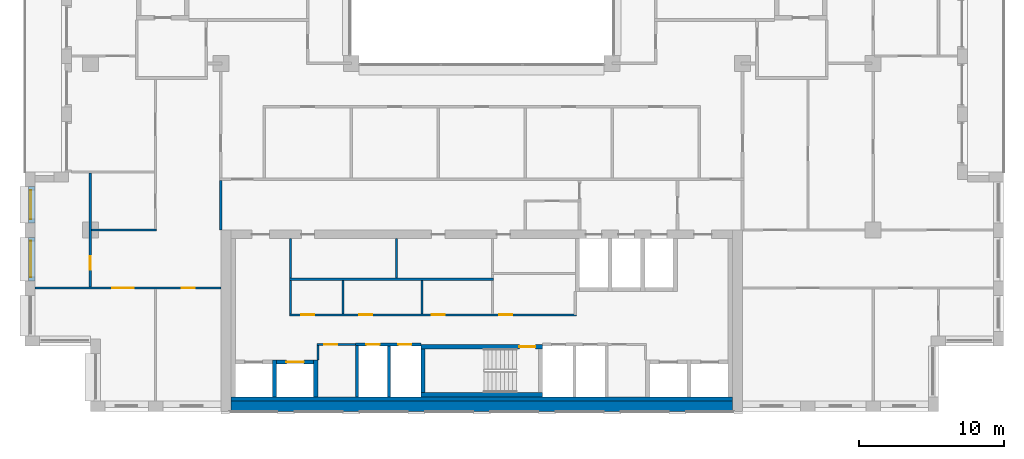
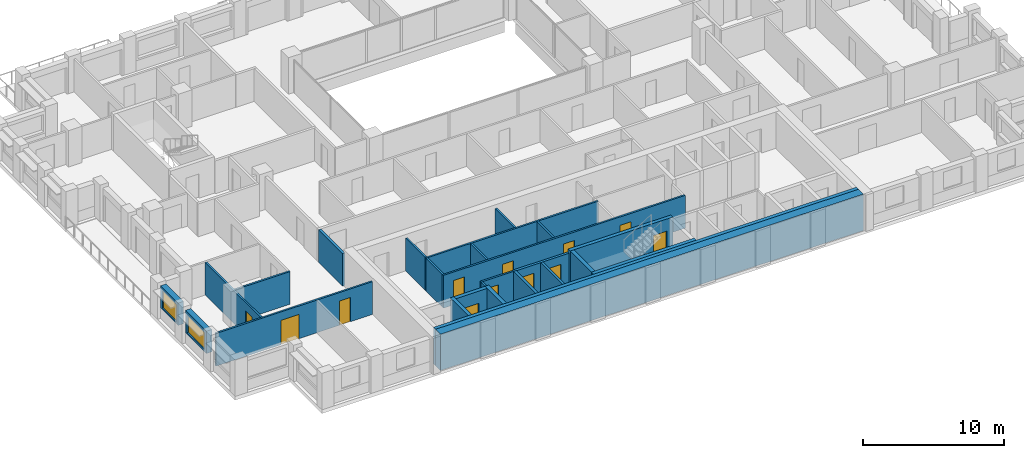
# One storey, part 8 of 16: 26 walls, 12 doors, 2 windows, 14 openings.
"""IFC4 building model written with IfcOpenShell, lengths in metres."""

from ifc_helpers import new_model, si_unit, direction, frame, frame_2d, origin, place, context, subcontext, project, spatial, rectangle, extrude, material, layer, layer_set, type_object, element, fill, save


model = new_model("IFC4")

# Units and contexts
model_context = context("Model", 3, precision=1e-05, world=origin(), true_north=direction((0.0, 1.0)))
body_context = subcontext(model_context, "Body", "Model", "MODEL_VIEW")
ifc_project = project(units=[si_unit("LENGTHUNIT", "METRE"), si_unit("AREAUNIT", "SQUARE_METRE"), si_unit("VOLUMEUNIT", "CUBIC_METRE"), si_unit("PLANEANGLEUNIT", "RADIAN"), si_unit("MASSUNIT", "GRAM", prefix="KILO")], contexts=[model_context])

# Site, building, storey
site_placement = place(None, origin())
site = spatial("IfcSite", under=ifc_project, at=site_placement, CompositionType="ELEMENT")
building_placement = place(site_placement, origin())
building = spatial("IfcBuilding", under=site, at=building_placement, Name="Brigalow Station Residences", CompositionType="ELEMENT")
storey_placement = place(building_placement, frame((0.0, 0.0, 160.199951171875)))
storey = spatial("IfcBuildingStorey", under=building, at=storey_placement, Name="L46", CompositionType="ELEMENT", Elevation=160.199951171875)

# Wall, opening, window
ifc_material_1 = material(Name="Clay brick masonry", Category="masonry")
ifc_layer_1 = layer(ifc_material_1, 0.449951171875)
ifc_layer_set_1 = layer_set([ifc_layer_1], Name="BRICK INFILL WALL 450")
wall_type_1 = type_object("IfcWallType", Name="BRICK INFILL WALL 450", PredefinedType="SOLIDWALL", material=ifc_layer_set_1)
wall_1_placement = place(storey_placement, frame((4.97509765625, 15.5, 0.900146484375), z_axis=(0.0, 0.0, 1.0), x_axis=(0.0, -1.0, 0.0)))
wall_1 = element("IfcWall", 1, at=wall_1_placement, inside=storey, type_object=wall_type_1, Name="L46/ewall/W-L46-45", PredefinedType="SOLIDWALL", context=body_context, shape_type="SweptSolid", body=[
    extrude(rectangle(XDim=2.5, YDim=0.449951171875, at=frame_2d((1.25, 0.0))), origin(), (0.0, 0.0, 1.0), 1.929931640625),
])
opening_1_placement = place(wall_1_placement, frame((0.25, 0.0, 0.14990234375)))
opening_1 = element("IfcOpeningElement", 2, at=opening_1_placement, cuts=wall_1, Name="Opening WT-7", PredefinedType="OPENING", context=body_context, shape_type="SweptSolid", body=[
    extrude(rectangle(XDim=2.0, YDim=1.5, at=frame_2d((1.0, 0.75))), frame((0.0, 0.23486328125, 0.0), z_axis=(0.0, -1.0, 0.0), x_axis=(1.0, 0.0, 0.0)), (0.0, 0.0, 1.0), 0.469970703125),
])
ifc_material_2 = material(Name="Anodised aluminium frame with double glazing", Category="aluminium")
window_type_1 = type_object("IfcWindowType", Name="WINDOW 2000x1500", PartitioningType="SINGLE_PANEL", PredefinedType="WINDOW", material=ifc_material_2)
window_1_placement = place(opening_1_placement, origin())
window_1 = element("IfcWindow", 3, at=window_1_placement, inside=storey, type_object=window_type_1, Name="L46/window/W-L46-45", OverallHeight=1.5, OverallWidth=2.0, PartitioningType="SINGLE_PANEL", PredefinedType="WINDOW", context=body_context, shape_type="SweptSolid", body=[
    extrude(rectangle(XDim=2.0, YDim=1.5, at=frame_2d((1.0, 0.75))), frame((0.0, -0.06494140625, 0.0), z_axis=(0.0, -1.0, 0.0), x_axis=(1.0, 0.0, 0.0)), (0.0, 0.0, 1.0), 0.06005859375),
])
fill(opening_1, window_1)

wall_2_placement = place(storey_placement, frame((4.97509765625, 12.0, 0.900146484375), z_axis=(0.0, 0.0, 1.0), x_axis=(0.0, -1.0, 0.0)))
wall_2 = element("IfcWall", 4, at=wall_2_placement, inside=storey, type_object=wall_type_1, Name="L46/ewall/W-L46-46", PredefinedType="SOLIDWALL", context=body_context, shape_type="SweptSolid", body=[
    extrude(rectangle(XDim=3.0, YDim=0.449951171875, at=frame_2d((1.5, 0.0))), origin(), (0.0, 0.0, 1.0), 1.929931640625),
])
opening_2_placement = place(wall_2_placement, frame((0.25, 0.0, 0.14990234375)))
opening_2 = element("IfcOpeningElement", 5, at=opening_2_placement, cuts=wall_2, Name="Opening WT-5", PredefinedType="OPENING", context=body_context, shape_type="SweptSolid", body=[
    extrude(rectangle(XDim=2.5, YDim=1.5, at=frame_2d((1.25, 0.75))), frame((0.0, 0.23486328125, 0.0), z_axis=(0.0, -1.0, 0.0), x_axis=(1.0, 0.0, 0.0)), (0.0, 0.0, 1.0), 0.469970703125),
])
ifc_material_3 = material(Name="Anodised aluminium frame with double glazing", Category="aluminium")
window_type_2 = type_object("IfcWindowType", Name="WINDOW 2500x1500", PartitioningType="SINGLE_PANEL", PredefinedType="WINDOW", material=ifc_material_3)
window_2_placement = place(opening_2_placement, origin())
window_2 = element("IfcWindow", 6, at=window_2_placement, inside=storey, type_object=window_type_2, Name="L46/window/W-L46-46", OverallHeight=1.5, OverallWidth=2.5, PartitioningType="SINGLE_PANEL", PredefinedType="WINDOW", context=body_context, shape_type="SweptSolid", body=[
    extrude(rectangle(XDim=2.5, YDim=1.5, at=frame_2d((1.25, 0.75))), frame((0.0, -0.06494140625, 0.0), z_axis=(0.0, -1.0, 0.0), x_axis=(1.0, 0.0, 0.0)), (0.0, 0.0, 1.0), 0.06005859375),
])
fill(opening_2, window_2)

# Wall
ifc_material_4 = material(Name="Concrete C65", Category="concrete")
ifc_layer_2 = layer(ifc_material_4, 0.300048828125)
ifc_layer_set_2 = layer_set([ifc_layer_2], Name="CORE SHEAR WALL 300 C65")
wall_type_2 = type_object("IfcWallType", Name="CORE SHEAR WALL 300 C65", PredefinedType="SHEAR", material=ifc_layer_set_2)
wall_3_placement = place(storey_placement, frame((18.699951171875, 0.85009765625, 0.0), z_axis=(0.0, 0.0, 1.0), x_axis=(1.0, 0.0, 0.0)))
element("IfcWall", 7, at=wall_3_placement, inside=storey, type_object=wall_type_2, Name="CORE WALL LIN-S L46", PredefinedType="SHEAR", context=body_context, shape_type="SweptSolid", body=[
    extrude(rectangle(XDim=34.60009765625, YDim=0.300048828125, at=frame_2d((17.300048828125, 0.0))), origin(), (0.0, 0.0, 1.0), 3.150146484375),
])

# Wall, opening, door
wall_4_placement = place(storey_placement, frame((21.85009765625, 3.39990234375, 0.0), z_axis=(0.0, 0.0, 1.0), x_axis=(1.0, 0.0, 0.0)))
wall_4 = element("IfcWall", 8, at=wall_4_placement, inside=storey, type_object=wall_type_2, Name="CORE WALL SH-C2-N L46", PredefinedType="SHEAR", context=body_context, shape_type="SweptSolid", body=[
    extrude(rectangle(XDim=2.5498046875, YDim=0.300048828125, at=frame_2d((1.27490234375, 0.0))), origin(), (0.0, 0.0, 1.0), 3.150146484375),
])
opening_3_placement = place(wall_4_placement, frame((0.675048828125, 0.0, 0.0)))
opening_3 = element("IfcOpeningElement", 9, at=opening_3_placement, cuts=wall_4, Name="Opening LD-LB2", PredefinedType="OPENING", context=body_context, shape_type="SweptSolid", body=[
    extrude(rectangle(XDim=1.199951171875, YDim=2.10009765625, at=frame_2d((0.60009765625, 1.050048828125))), frame((0.0, 0.16015625, 0.0), z_axis=(0.0, -1.0, 0.0), x_axis=(1.0, 0.0, 0.0)), (0.0, 0.0, 1.0), 0.320068359375),
])
ifc_material_5 = material(Name="Stainless steel sliding door leaves", Category="steel")
door_type_1 = type_object("IfcDoorType", Name="LIFT LANDING DOOR 1200 x 2100", OperationType="DOUBLE_DOOR_SLIDING", PredefinedType="DOOR", material=ifc_material_5)
door_1_placement = place(opening_3_placement, origin())
door_1 = element("IfcDoor", 10, at=door_1_placement, inside=storey, type_object=door_type_1, Name="LANDING DOOR LB2", OperationType="DOUBLE_DOOR_SLIDING", OverallHeight=2.10009765625, OverallWidth=1.199951171875, PredefinedType="DOOR", context=body_context, shape_type="SweptSolid", body=[
    extrude(rectangle(XDim=1.199951171875, YDim=2.10009765625, at=frame_2d((0.60009765625, 1.050048828125))), frame((0.0, 0.02490234375, 0.0), z_axis=(0.0, -1.0, 0.0), x_axis=(1.0, 0.0, 0.0)), (0.0, 0.0, 1.0), 0.050048828125),
])
fill(opening_3, door_1)

# Walls
for number, where, z_axis, x_axis, name in (
    (11, (21.699951171875, 1.0, 0.0), (0.0, 0.0, 1.0), (0.0, 1.0, 0.0), "CORE WALL SH-C2-W L46"),
    (12, (24.550048828125, 1.0, 0.0), (0.0, 0.0, 1.0), (0.0, 1.0, 0.0), "CORE WALL SH-C2-E L46"),
):
    element("IfcWall", number, at=place(storey_placement, frame(where, z_axis=z_axis, x_axis=x_axis)), inside=storey, type_object=wall_type_2, Name=name, PredefinedType="SHEAR", context=body_context, shape_type="SweptSolid", body=[
        extrude(rectangle(XDim=2.550048828125, YDim=0.300048828125, at=frame_2d((1.27490234375, 0.0))), origin(), (0.0, 0.0, 1.0), 3.150146484375),
    ])
wall_5_placement = place(storey_placement, frame((31.800048828125, 1.14990234375, 0.0), z_axis=(0.0, 0.0, 1.0), x_axis=(1.0, 0.0, 0.0)))
element("IfcWall", 13, at=wall_5_placement, inside=storey, type_object=wall_type_2, Name="CORE WALL ST-S2-S L46", PredefinedType="SHEAR", context=body_context, shape_type="SweptSolid", body=[
    extrude(rectangle(XDim=8.39990234375, YDim=0.300048828125, at=frame_2d((4.199951171875, 0.0))), origin(), (0.0, 0.0, 1.0), 3.150146484375),
])

# Wall, opening, door
wall_6_placement = place(storey_placement, frame((31.800048828125, 4.449951171875, 0.0), z_axis=(0.0, 0.0, 1.0), x_axis=(1.0, 0.0, 0.0)))
wall_6 = element("IfcWall", 14, at=wall_6_placement, inside=storey, type_object=wall_type_2, Name="CORE WALL ST-S2-N L46", PredefinedType="SHEAR", context=body_context, shape_type="SweptSolid", body=[
    extrude(rectangle(XDim=8.39990234375, YDim=0.300048828125, at=frame_2d((4.199951171875, 0.0))), origin(), (0.0, 0.0, 1.0), 3.150146484375),
])
opening_4_placement = place(wall_6_placement, frame((6.800048828125, 0.0, 0.0)))
opening_4 = element("IfcOpeningElement", 15, at=opening_4_placement, cuts=wall_6, Name="Opening D-5001", PredefinedType="OPENING", context=body_context, shape_type="SweptSolid", body=[
    extrude(rectangle(XDim=1.10009765625, YDim=2.10009765625, at=frame_2d((0.550048828125, 1.050048828125))), frame((0.0, 0.16015625, 0.0), z_axis=(0.0, -1.0, 0.0), x_axis=(1.0, 0.0, 0.0)), (0.0, 0.0, 1.0), 0.320068359375),
])
ifc_material_6 = material(Name="Steel fire door leaf in steel frame", Category="steel")
door_type_2 = type_object("IfcDoorType", Name="STAIR DOOR 1100 x 2100 FD60S", OperationType="SINGLE_SWING_LEFT", PredefinedType="DOOR", material=ifc_material_6)
door_2_placement = place(opening_4_placement, frame((1.10009765625, 0.0, 0.0), z_axis=(0.0, 0.0, 1.0), x_axis=(-1.0, 0.0, 0.0)))
door_2 = element("IfcDoor", 16, at=door_2_placement, inside=storey, type_object=door_type_2, Name="D-5001", OperationType="SINGLE_SWING_LEFT", OverallHeight=2.10009765625, OverallWidth=1.10009765625, PredefinedType="DOOR", context=body_context, shape_type="SweptSolid", body=[
    extrude(rectangle(XDim=1.10009765625, YDim=2.10009765625, at=frame_2d((0.550048828125, 1.050048828125))), frame((0.0, 0.02490234375, 0.0), z_axis=(0.0, -1.0, 0.0), x_axis=(1.0, 0.0, 0.0)), (0.0, 0.0, 1.0), 0.050048828125),
])
fill(opening_4, door_2)

# Walls
wall_7_placement = place(storey_placement, frame((31.949951171875, 1.300048828125, 0.0), z_axis=(0.0, 0.0, 1.0), x_axis=(0.0, 1.0, 0.0)))
element("IfcWall", 17, at=wall_7_placement, inside=storey, type_object=wall_type_2, Name="CORE WALL ST-S2-W L46", PredefinedType="SHEAR", context=body_context, shape_type="SweptSolid", body=[
    extrude(rectangle(XDim=3.0, YDim=0.300048828125, at=frame_2d((1.5, 0.0))), origin(), (0.0, 0.0, 1.0), 3.150146484375),
])
ifc_material_7 = material(Name="Concrete C65", Category="concrete")
ifc_layer_3 = layer(ifc_material_7, 0.699951171875)
ifc_layer_set_3 = layer_set([ifc_layer_3], Name="CORE SHEAR WALL 700 C65")
wall_type_3 = type_object("IfcWallType", Name="CORE SHEAR WALL 700 C65", PredefinedType="SHEAR", material=ifc_layer_set_3)
wall_8_placement = place(storey_placement, frame((18.699951171875, 0.35009765625, 0.0), z_axis=(0.0, 0.0, 1.0), x_axis=(1.0, 0.0, 0.0)))
element("IfcWall", 18, at=wall_8_placement, inside=storey, type_object=wall_type_3, Name="CORE WALL OUT-S L46", PredefinedType="SHEAR", context=body_context, shape_type="SweptSolid", body=[
    extrude(rectangle(XDim=34.60009765625, YDim=0.699951171875, at=frame_2d((17.300048828125, 0.0))), origin(), (0.0, 0.0, 1.0), 3.150146484375),
])

# Wall, openings, doors
ifc_material_8 = material(Name="Concrete blockwork", Category="masonry")
ifc_layer_4 = layer(ifc_material_8, 0.199951171875)
ifc_layer_set_4 = layer_set([ifc_layer_4], Name="FIRE RATED CORE PARTITION 200")
wall_type_4 = type_object("IfcWallType", Name="FIRE RATED CORE PARTITION 200", PredefinedType="PARTITIONING", material=ifc_layer_set_4)
wall_9_placement = place(storey_placement, frame((27.300048828125, 4.60009765625, 0.0), z_axis=(0.0, 0.0, 1.0), x_axis=(1.0, 0.0, 0.0)))
wall_9 = element("IfcWall", 19, at=wall_9_placement, inside=storey, type_object=wall_type_4, Name="PW-5017", PredefinedType="PARTITIONING", context=body_context, shape_type="SweptSolid", body=[
    extrude(rectangle(XDim=4.5, YDim=0.199951171875, at=frame_2d((2.25, 0.0))), origin(), (0.0, 0.0, 1.0), 2.830078125),
])
opening_5_placement = place(wall_9_placement, frame((0.75, 0.0, 0.0)))
opening_5 = element("IfcOpeningElement", 20, at=opening_5_placement, cuts=wall_9, Name="Opening D-5007", PredefinedType="OPENING", context=body_context, shape_type="SweptSolid", body=[
    extrude(rectangle(XDim=0.89990234375, YDim=2.10009765625, at=frame_2d((0.449951171875, 1.050048828125))), frame((0.0, 0.10986328125, 0.0), z_axis=(0.0, -1.0, 0.0), x_axis=(1.0, 0.0, 0.0)), (0.0, 0.0, 1.0), 0.219970703125),
])
opening_6_placement = place(wall_9_placement, frame((2.949951171875, 0.0, 0.0)))
opening_6 = element("IfcOpeningElement", 21, at=opening_6_placement, cuts=wall_9, Name="Opening D-5008", PredefinedType="OPENING", context=body_context, shape_type="SweptSolid", body=[
    extrude(rectangle(XDim=0.89990234375, YDim=2.10009765625, at=frame_2d((0.449951171875, 1.050048828125))), frame((0.0, 0.10986328125, 0.0), z_axis=(0.0, -1.0, 0.0), x_axis=(1.0, 0.0, 0.0)), (0.0, 0.0, 1.0), 0.219970703125),
])
ifc_material_9 = material(Name="Steel fire door leaf in steel frame", Category="steel")
door_type_3 = type_object("IfcDoorType", Name="RISER ACCESS DOOR 900 x 2100 FD120", OperationType="SINGLE_SWING_LEFT", PredefinedType="DOOR", material=ifc_material_9)
door_3_placement = place(opening_5_placement, frame((0.89990234375, 0.0, 0.0), z_axis=(0.0, 0.0, 1.0), x_axis=(-1.0, 0.0, 0.0)))
door_3 = element("IfcDoor", 22, at=door_3_placement, inside=storey, type_object=door_type_3, Name="D-5007", OperationType="SINGLE_SWING_RIGHT", OverallHeight=2.10009765625, OverallWidth=0.89990234375, PredefinedType="DOOR", context=body_context, shape_type="SweptSolid", body=[
    extrude(rectangle(XDim=0.89990234375, YDim=2.10009765625, at=frame_2d((0.449951171875, 1.050048828125))), frame((0.0, 0.02490234375, 0.0), z_axis=(0.0, -1.0, 0.0), x_axis=(1.0, 0.0, 0.0)), (0.0, 0.0, 1.0), 0.050048828125),
])
fill(opening_5, door_3)
door_4_placement = place(opening_6_placement, frame((0.89990234375, 0.0, 0.0), z_axis=(0.0, 0.0, 1.0), x_axis=(-1.0, 0.0, 0.0)))
door_4 = element("IfcDoor", 23, at=door_4_placement, inside=storey, type_object=door_type_3, Name="D-5008", OperationType="SINGLE_SWING_RIGHT", OverallHeight=2.10009765625, OverallWidth=0.89990234375, PredefinedType="DOOR", context=body_context, shape_type="SweptSolid", body=[
    extrude(rectangle(XDim=0.89990234375, YDim=2.10009765625, at=frame_2d((0.449951171875, 1.050048828125))), frame((0.0, 0.02490234375, 0.0), z_axis=(0.0, -1.0, 0.0), x_axis=(1.0, 0.0, 0.0)), (0.0, 0.0, 1.0), 0.050048828125),
])
fill(opening_6, door_4)

# Walls
wall_10_placement = place(storey_placement, frame((27.39990234375, 1.0, 0.0), z_axis=(0.0, 0.0, 1.0), x_axis=(0.0, 1.0, 0.0)))
element("IfcWall", 24, at=wall_10_placement, inside=storey, type_object=wall_type_4, Name="PW-5027", PredefinedType="PARTITIONING", context=body_context, shape_type="SweptSolid", body=[
    extrude(rectangle(XDim=3.52490234375, YDim=0.199951171875, at=frame_2d((1.762451171875, 0.0))), origin(), (0.0, 0.0, 1.0), 2.830078125),
])
wall_11_placement = place(storey_placement, frame((29.60009765625, 1.0, 0.0), z_axis=(0.0, 0.0, 1.0), x_axis=(0.0, 1.0, 0.0)))
element("IfcWall", 25, at=wall_11_placement, inside=storey, type_object=wall_type_4, Name="PW-5006", PredefinedType="PARTITIONING", context=body_context, shape_type="SweptSolid", body=[
    extrude(rectangle(XDim=3.5, YDim=0.199951171875, at=frame_2d((1.75, 0.0))), origin(), (0.0, 0.0, 1.0), 2.830078125),
])
wall_12_placement = place(storey_placement, frame((18.0, 12.5, 0.0), z_axis=(0.0, 0.0, 1.0), x_axis=(0.0, 1.0, 0.0)))
element("IfcWall", 26, at=wall_12_placement, inside=storey, type_object=wall_type_4, Name="PW-5013", PredefinedType="PARTITIONING", context=body_context, shape_type="SweptSolid", body=[
    extrude(rectangle(XDim=3.39990234375, YDim=0.199951171875, at=frame_2d((1.699951171875, 0.0))), origin(), (0.0, 0.0, 1.0), 2.830078125),
])

# Wall, openings, doors
ifc_material_10 = material(Name="Plasterboard on steel stud partition", Category="steel")
ifc_layer_5 = layer(ifc_material_10, 0.14990234375)
ifc_layer_set_5 = layer_set([ifc_layer_5], Name="FLAT PARTITION 150")
wall_type_5 = type_object("IfcWallType", Name="FLAT PARTITION 150", PredefinedType="PARTITIONING", material=ifc_layer_set_5)
wall_13_placement = place(storey_placement, frame((5.199951171875, 8.5, 0.0), z_axis=(0.0, 0.0, 1.0), x_axis=(1.0, 0.0, 0.0)))
wall_13 = element("IfcWall", 27, at=wall_13_placement, inside=storey, type_object=wall_type_5, Name="PW-3C09", PredefinedType="PARTITIONING", context=body_context, shape_type="SweptSolid", body=[
    extrude(rectangle(XDim=12.800048828125, YDim=0.14990234375, at=frame_2d((6.39990234375, 0.0))), origin(), (0.0, 0.0, 1.0), 2.830078125),
])
opening_7_placement = place(wall_13_placement, frame((10.10009765625, 0.0, 0.0)))
opening_7 = element("IfcOpeningElement", 28, at=opening_7_placement, cuts=wall_13, Name="Opening D-3C04", PredefinedType="OPENING", context=body_context, shape_type="SweptSolid", body=[
    extrude(rectangle(XDim=0.89990234375, YDim=2.10009765625, at=frame_2d((0.449951171875, 1.050048828125))), frame((0.0, 0.0849609375, 0.0), z_axis=(0.0, -1.0, 0.0), x_axis=(1.0, 0.0, 0.0)), (0.0, 0.0, 1.0), 0.169921875),
])
opening_8_placement = place(wall_13_placement, frame((5.300048828125, 0.0, 0.0)))
opening_8 = element("IfcOpeningElement", 29, at=opening_8_placement, cuts=wall_13, Name="Opening D-3C07", PredefinedType="OPENING", context=body_context, shape_type="SweptSolid", body=[
    extrude(rectangle(XDim=1.5, YDim=2.10009765625, at=frame_2d((0.75, 1.050048828125))), frame((0.0, 0.0849609375, 0.0), z_axis=(0.0, -1.0, 0.0), x_axis=(1.0, 0.0, 0.0)), (0.0, 0.0, 1.0), 0.169921875),
])
ifc_material_11 = material(Name="Solid-core timber door leaf", Category="wood")
door_type_4 = type_object("IfcDoorType", Name="INTERNAL DOOR 900 x 2100", OperationType="SINGLE_SWING_LEFT", PredefinedType="DOOR", material=ifc_material_11)
door_5_placement = place(opening_7_placement, frame((0.89990234375, 0.0, 0.0), z_axis=(0.0, 0.0, 1.0), x_axis=(-1.0, 0.0, 0.0)))
door_5 = element("IfcDoor", 30, at=door_5_placement, inside=storey, type_object=door_type_4, Name="D-3C04", OperationType="SINGLE_SWING_RIGHT", OverallHeight=2.10009765625, OverallWidth=0.89990234375, PredefinedType="DOOR", context=body_context, shape_type="SweptSolid", body=[
    extrude(rectangle(XDim=0.89990234375, YDim=2.10009765625, at=frame_2d((0.449951171875, 1.050048828125))), frame((0.0, 0.02490234375, 0.0), z_axis=(0.0, -1.0, 0.0), x_axis=(1.0, 0.0, 0.0)), (0.0, 0.0, 1.0), 0.050048828125),
])
fill(opening_7, door_5)
ifc_material_12 = material(Name="Solid-core timber door leaf", Category="wood")
door_type_5 = type_object("IfcDoorType", Name="INTERNAL DOUBLE DOOR 1500 x 2100", OperationType="DOUBLE_DOOR_SINGLE_SWING", PredefinedType="DOOR", material=ifc_material_12)
door_6_placement = place(opening_8_placement, frame((1.5, 0.0, 0.0), z_axis=(0.0, 0.0, 1.0), x_axis=(-1.0, 0.0, 0.0)))
door_6 = element("IfcDoor", 31, at=door_6_placement, inside=storey, type_object=door_type_5, Name="D-3C07", OperationType="DOUBLE_DOOR_SINGLE_SWING", OverallHeight=2.10009765625, OverallWidth=1.5, PredefinedType="DOOR", context=body_context, shape_type="SweptSolid", body=[
    extrude(rectangle(XDim=1.5, YDim=2.10009765625, at=frame_2d((0.75, 1.050048828125))), frame((0.0, 0.02490234375, 0.0), z_axis=(0.0, -1.0, 0.0), x_axis=(1.0, 0.0, 0.0)), (0.0, 0.0, 1.0), 0.050048828125),
])
fill(opening_8, door_6)

# Wall
wall_14_placement = place(storey_placement, frame((9.074951171875, 12.5, 0.0), z_axis=(0.0, 0.0, 1.0), x_axis=(1.0, 0.0, 0.0)))
element("IfcWall", 32, at=wall_14_placement, inside=storey, type_object=wall_type_5, Name="PW-3C12", PredefinedType="PARTITIONING", context=body_context, shape_type="SweptSolid", body=[
    extrude(rectangle(XDim=4.5, YDim=0.14990234375, at=frame_2d((2.25, 0.0))), origin(), (0.0, 0.0, 1.0), 2.830078125),
])

# Wall, opening, door
wall_15_placement = place(storey_placement, frame((9.0, 8.574951171875, 0.0), z_axis=(0.0, 0.0, 1.0), x_axis=(0.0, 1.0, 0.0)))
wall_15 = element("IfcWall", 33, at=wall_15_placement, inside=storey, type_object=wall_type_5, Name="PW-3C39", PredefinedType="PARTITIONING", context=body_context, shape_type="SweptSolid", body=[
    extrude(rectangle(XDim=7.85009765625, YDim=0.14990234375, at=frame_2d((3.925048828125, 0.0))), origin(), (0.0, 0.0, 1.0), 2.830078125),
])
opening_9_placement = place(wall_15_placement, frame((1.199951171875, 0.0, 0.0)))
opening_9 = element("IfcOpeningElement", 34, at=opening_9_placement, cuts=wall_15, Name="Opening D-3C05", PredefinedType="OPENING", context=body_context, shape_type="SweptSolid", body=[
    extrude(rectangle(XDim=0.89990234375, YDim=2.10009765625, at=frame_2d((0.449951171875, 1.050048828125))), frame((0.0, 0.0849609375, 0.0), z_axis=(0.0, -1.0, 0.0), x_axis=(1.0, 0.0, 0.0)), (0.0, 0.0, 1.0), 0.169921875),
])
door_7_placement = place(opening_9_placement, origin())
door_7 = element("IfcDoor", 35, at=door_7_placement, inside=storey, type_object=door_type_4, Name="D-3C05", OperationType="SINGLE_SWING_LEFT", OverallHeight=2.10009765625, OverallWidth=0.89990234375, PredefinedType="DOOR", context=body_context, shape_type="SweptSolid", body=[
    extrude(rectangle(XDim=0.89990234375, YDim=2.10009765625, at=frame_2d((0.449951171875, 1.050048828125))), frame((0.0, 0.02490234375, 0.0), z_axis=(0.0, -1.0, 0.0), x_axis=(1.0, 0.0, 0.0)), (0.0, 0.0, 1.0), 0.050048828125),
])
fill(opening_9, door_7)

ifc_material_13 = material(Name="Plasterboard on steel studs", Category="steel")
ifc_layer_6 = layer(ifc_material_13, 0.14990234375)
ifc_layer_set_6 = layer_set([ifc_layer_6], Name="SERVICE ROOM PARTITION 150")
wall_type_6 = type_object("IfcWallType", Name="SERVICE ROOM PARTITION 150", PredefinedType="PARTITIONING", material=ifc_layer_set_6)
wall_16_placement = place(storey_placement, frame((24.625, 4.60009765625, 0.0), z_axis=(0.0, 0.0, 1.0), x_axis=(1.0, 0.0, 0.0)))
wall_16 = element("IfcWall", 36, at=wall_16_placement, inside=storey, type_object=wall_type_6, Name="PW-5155", PredefinedType="PARTITIONING", context=body_context, shape_type="SweptSolid", body=[
    extrude(rectangle(XDim=2.675048828125, YDim=0.14990234375, at=frame_2d((1.33740234375, 0.0))), origin(), (0.0, 0.0, 1.0), 2.830078125),
])
opening_10_placement = place(wall_16_placement, frame((0.52490234375, 0.0, 0.0)))
opening_10 = element("IfcOpeningElement", 37, at=opening_10_placement, cuts=wall_16, Name="Opening D-5087", PredefinedType="OPENING", context=body_context, shape_type="SweptSolid", body=[
    extrude(rectangle(XDim=0.89990234375, YDim=2.10009765625, at=frame_2d((0.449951171875, 1.050048828125))), frame((0.0, 0.0849609375, 0.0), z_axis=(0.0, -1.0, 0.0), x_axis=(1.0, 0.0, 0.0)), (0.0, 0.0, 1.0), 0.169921875),
])
ifc_material_14 = material(Name="Steel door leaf in steel frame", Category="steel")
door_type_6 = type_object("IfcDoorType", Name="SERVICE ROOM DOOR 900 x 2100 FD60", OperationType="SINGLE_SWING_LEFT", PredefinedType="DOOR", material=ifc_material_14)
door_8_placement = place(opening_10_placement, frame((0.89990234375, 0.0, 0.0), z_axis=(0.0, 0.0, 1.0), x_axis=(-1.0, 0.0, 0.0)))
door_8 = element("IfcDoor", 38, at=door_8_placement, inside=storey, type_object=door_type_6, Name="D-5087", OperationType="SINGLE_SWING_RIGHT", OverallHeight=2.10009765625, OverallWidth=0.89990234375, PredefinedType="DOOR", context=body_context, shape_type="SweptSolid", body=[
    extrude(rectangle(XDim=0.89990234375, YDim=2.10009765625, at=frame_2d((0.449951171875, 1.050048828125))), frame((0.0, 0.02490234375, 0.0), z_axis=(0.0, -1.0, 0.0), x_axis=(1.0, 0.0, 0.0)), (0.0, 0.0, 1.0), 0.050048828125),
])
fill(opening_10, door_8)

# Wall, openings, doors
wall_17_placement = place(storey_placement, frame((22.72509765625, 6.64990234375, 0.0), z_axis=(0.0, 0.0, 1.0), x_axis=(1.0, 0.0, 0.0)))
wall_17 = element("IfcWall", 39, at=wall_17_placement, inside=storey, type_object=wall_type_6, Name="PW-5195", PredefinedType="PARTITIONING", context=body_context, shape_type="SweptSolid", body=[
    extrude(rectangle(XDim=19.7998046875, YDim=0.14990234375, at=frame_2d((9.89990234375, 0.0))), origin(), (0.0, 0.0, 1.0), 2.830078125),
])
opening_11_placement = place(wall_17_placement, frame((0.824951171875, 0.0, 0.0)))
opening_11 = element("IfcOpeningElement", 40, at=opening_11_placement, cuts=wall_17, Name="Opening D-5110", PredefinedType="OPENING", context=body_context, shape_type="SweptSolid", body=[
    extrude(rectangle(XDim=0.89990234375, YDim=2.10009765625, at=frame_2d((0.449951171875, 1.050048828125))), frame((0.0, 0.0849609375, 0.0), z_axis=(0.0, -1.0, 0.0), x_axis=(1.0, 0.0, 0.0)), (0.0, 0.0, 1.0), 0.169921875),
])
opening_12_placement = place(wall_17_placement, frame((4.824951171875, 0.0, 0.0)))
opening_12 = element("IfcOpeningElement", 41, at=opening_12_placement, cuts=wall_17, Name="Opening D-5116", PredefinedType="OPENING", context=body_context, shape_type="SweptSolid", body=[
    extrude(rectangle(XDim=0.89990234375, YDim=2.10009765625, at=frame_2d((0.449951171875, 1.050048828125))), frame((0.0, 0.0849609375, 0.0), z_axis=(0.0, -1.0, 0.0), x_axis=(1.0, 0.0, 0.0)), (0.0, 0.0, 1.0), 0.169921875),
])
opening_13_placement = place(wall_17_placement, frame((9.824951171875, 0.0, 0.0)))
opening_13 = element("IfcOpeningElement", 42, at=opening_13_placement, cuts=wall_17, Name="Opening D-5117", PredefinedType="OPENING", context=body_context, shape_type="SweptSolid", body=[
    extrude(rectangle(XDim=0.89990234375, YDim=2.10009765625, at=frame_2d((0.449951171875, 1.050048828125))), frame((0.0, 0.0849609375, 0.0), z_axis=(0.0, -1.0, 0.0), x_axis=(1.0, 0.0, 0.0)), (0.0, 0.0, 1.0), 0.169921875),
])
opening_14_placement = place(wall_17_placement, frame((14.47509765625, 0.0, 0.0)))
opening_14 = element("IfcOpeningElement", 43, at=opening_14_placement, cuts=wall_17, Name="Opening D-5114", PredefinedType="OPENING", context=body_context, shape_type="SweptSolid", body=[
    extrude(rectangle(XDim=0.89990234375, YDim=2.10009765625, at=frame_2d((0.449951171875, 1.050048828125))), frame((0.0, 0.0849609375, 0.0), z_axis=(0.0, -1.0, 0.0), x_axis=(1.0, 0.0, 0.0)), (0.0, 0.0, 1.0), 0.169921875),
])
door_9_placement = place(opening_11_placement, origin())
door_9 = element("IfcDoor", 44, at=door_9_placement, inside=storey, type_object=door_type_6, Name="D-5110", OperationType="SINGLE_SWING_LEFT", OverallHeight=2.10009765625, OverallWidth=0.89990234375, PredefinedType="DOOR", context=body_context, shape_type="SweptSolid", body=[
    extrude(rectangle(XDim=0.89990234375, YDim=2.10009765625, at=frame_2d((0.449951171875, 1.050048828125))), frame((0.0, 0.02490234375, 0.0), z_axis=(0.0, -1.0, 0.0), x_axis=(1.0, 0.0, 0.0)), (0.0, 0.0, 1.0), 0.050048828125),
])
fill(opening_11, door_9)
door_10_placement = place(opening_12_placement, origin())
door_10 = element("IfcDoor", 45, at=door_10_placement, inside=storey, type_object=door_type_6, Name="D-5116", OperationType="SINGLE_SWING_LEFT", OverallHeight=2.10009765625, OverallWidth=0.89990234375, PredefinedType="DOOR", context=body_context, shape_type="SweptSolid", body=[
    extrude(rectangle(XDim=0.89990234375, YDim=2.10009765625, at=frame_2d((0.449951171875, 1.050048828125))), frame((0.0, 0.02490234375, 0.0), z_axis=(0.0, -1.0, 0.0), x_axis=(1.0, 0.0, 0.0)), (0.0, 0.0, 1.0), 0.050048828125),
])
fill(opening_12, door_10)
door_11_placement = place(opening_13_placement, origin())
door_11 = element("IfcDoor", 46, at=door_11_placement, inside=storey, type_object=door_type_6, Name="D-5117", OperationType="SINGLE_SWING_LEFT", OverallHeight=2.10009765625, OverallWidth=0.89990234375, PredefinedType="DOOR", context=body_context, shape_type="SweptSolid", body=[
    extrude(rectangle(XDim=0.89990234375, YDim=2.10009765625, at=frame_2d((0.449951171875, 1.050048828125))), frame((0.0, 0.02490234375, 0.0), z_axis=(0.0, -1.0, 0.0), x_axis=(1.0, 0.0, 0.0)), (0.0, 0.0, 1.0), 0.050048828125),
])
fill(opening_13, door_11)
door_12_placement = place(opening_14_placement, origin())
door_12 = element("IfcDoor", 47, at=door_12_placement, inside=storey, type_object=door_type_6, Name="D-5114", OperationType="SINGLE_SWING_LEFT", OverallHeight=2.10009765625, OverallWidth=0.89990234375, PredefinedType="DOOR", context=body_context, shape_type="SweptSolid", body=[
    extrude(rectangle(XDim=0.89990234375, YDim=2.10009765625, at=frame_2d((0.449951171875, 1.050048828125))), frame((0.0, 0.02490234375, 0.0), z_axis=(0.0, -1.0, 0.0), x_axis=(1.0, 0.0, 0.0)), (0.0, 0.0, 1.0), 0.050048828125),
])
fill(opening_14, door_12)

# Walls
wall_18_placement = place(storey_placement, frame((22.72509765625, 9.110107421875, 0.0), z_axis=(0.0, 0.0, 1.0), x_axis=(1.0, 0.0, 0.0)))
element("IfcWall", 48, at=wall_18_placement, inside=storey, type_object=wall_type_6, Name="PW-5214", PredefinedType="PARTITIONING", context=body_context, shape_type="SweptSolid", body=[
    extrude(rectangle(XDim=14.099853515625, YDim=0.14990234375, at=frame_2d((7.0498046875, 0.0))), origin(), (0.0, 0.0, 1.0), 2.830078125),
])
wall_19_placement = place(storey_placement, frame((24.699951171875, 3.550048828125, 0.0), z_axis=(0.0, 0.0, 1.0), x_axis=(0.0, 1.0, 0.0)))
element("IfcWall", 49, at=wall_19_placement, inside=storey, type_object=wall_type_6, Name="PW-5157", PredefinedType="PARTITIONING", context=body_context, shape_type="SweptSolid", body=[
    extrude(rectangle(XDim=0.974853515625, YDim=0.14990234375, at=frame_2d((0.4873046875, 0.0))), origin(), (0.0, 0.0, 1.0), 2.830078125),
])
for number, where, z_axis, x_axis, name in (
    (50, (22.800048828125, 6.72509765625, 0.0), (0.0, 0.0, 1.0), (0.0, 1.0, 0.0), "PW-5216"),
    (51, (26.429931640625, 6.72509765625, 0.0), (0.0, 0.0, 1.0), (0.0, 1.0, 0.0), "PW-5217"),
    (52, (31.8701171875, 6.72509765625, 0.0), (0.0, 0.0, 1.0), (0.0, 1.0, 0.0), "PW-5218"),
):
    element("IfcWall", number, at=place(storey_placement, frame(where, z_axis=z_axis, x_axis=x_axis)), inside=storey, type_object=wall_type_6, Name=name, PredefinedType="PARTITIONING", context=body_context, shape_type="SweptSolid", body=[
        extrude(rectangle(XDim=2.309814453125, YDim=0.14990234375, at=frame_2d((1.15478515625, 0.0))), origin(), (0.0, 0.0, 1.0), 2.830078125),
    ])
for number, where, z_axis, x_axis, name in (
    (53, (22.800048828125, 9.18505859375, 0.0), (0.0, 0.0, 1.0), (0.0, 1.0, 0.0), "PW-5220"),
    (54, (30.1201171875, 9.18505859375, 0.0), (0.0, 0.0, 1.0), (0.0, 1.0, 0.0), "PW-5221"),
):
    element("IfcWall", number, at=place(storey_placement, frame(where, z_axis=z_axis, x_axis=x_axis)), inside=storey, type_object=wall_type_6, Name=name, PredefinedType="PARTITIONING", context=body_context, shape_type="SweptSolid", body=[
        extrude(rectangle(XDim=2.71484375, YDim=0.14990234375, at=frame_2d((1.357421875, 0.0))), origin(), (0.0, 0.0, 1.0), 2.830078125),
    ])

save(model, "model.ifc")
